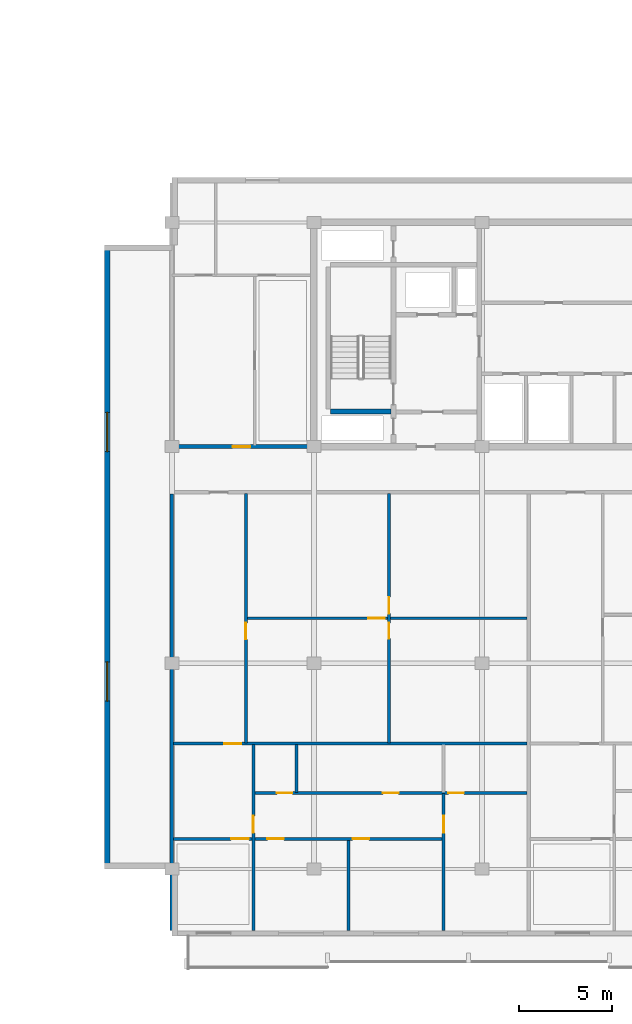
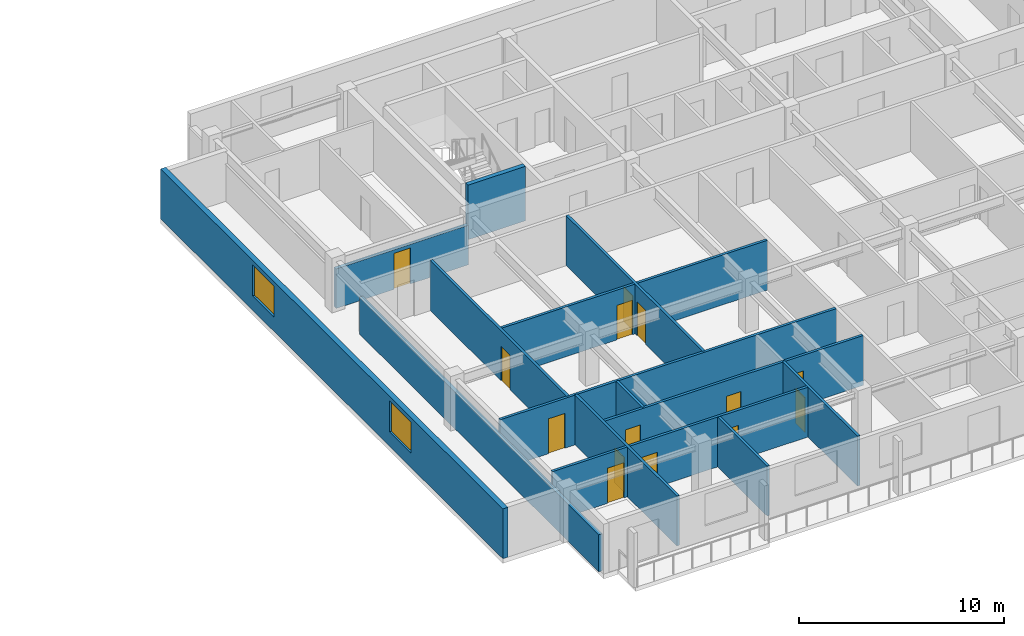
# One storey, part 4 of 24: 14 doors, 14 walls, 2 windows, 16 openings.
"""IFC4 building model written with IfcOpenShell, lengths in metres."""

from ifc_helpers import new_model, si_unit, direction, frame, frame_2d, origin, place, context, subcontext, project, spatial, rectangle, extrude, material, layer, layer_set, type_object, element, fill, save


model = new_model("IFC4")

# Units and contexts
model_context = context("Model", 3, precision=1e-05, world=origin(), true_north=direction((0.0, 1.0)))
body_context = subcontext(model_context, "Body", "Model", "MODEL_VIEW")
ifc_project = project(units=[si_unit("LENGTHUNIT", "METRE"), si_unit("AREAUNIT", "SQUARE_METRE"), si_unit("VOLUMEUNIT", "CUBIC_METRE"), si_unit("PLANEANGLEUNIT", "RADIAN"), si_unit("MASSUNIT", "GRAM", prefix="KILO")], contexts=[model_context])

# Site, building, storey
site_placement = place(None, origin())
site = spatial("IfcSite", under=ifc_project, at=site_placement, CompositionType="ELEMENT")
building_placement = place(site_placement, origin())
building = spatial("IfcBuilding", under=site, at=building_placement, Name="Korimba Cascade Residences", CompositionType="ELEMENT")
storey_placement = place(building_placement, frame((0.0, 0.0, 168.60009765625)))
storey = spatial("IfcBuildingStorey", under=building, at=storey_placement, Name="L48", CompositionType="ELEMENT", Elevation=168.60009765625)

# Wall, openings, windows
ifc_material_1 = material(Name="Precast concrete C40/50", Category="concrete")
ifc_layer_1 = layer(ifc_material_1, 0.300048828125)
ifc_layer_set_1 = layer_set([ifc_layer_1], Name="Precast concrete C40/50")
wall_type_1 = type_object("IfcWallType", Name="EW-STONE-300", PredefinedType="STANDARD", material=ifc_layer_set_1)
wall_1_placement = place(storey_placement, frame((71.050048828125, 29.199951171875, 0.0), z_axis=(0.0, 0.0, 1.0), x_axis=(0.0, -1.0, 0.0)))
wall_1 = element("IfcWall", 1, at=wall_1_placement, inside=storey, type_object=wall_type_1, Name="L48 T2 Perimeter Stone Wall E09", PredefinedType="STANDARD", context=body_context, shape_type="SweptSolid", body=[
    extrude(rectangle(XDim=33.39990234375, YDim=0.300048828125, at=frame_2d((16.699951171875, 0.0))), origin(), (0.0, 0.0, 1.0), 2.969970703125),
])
opening_1_placement = place(wall_1_placement, frame((8.969970703125, 0.0, 0.85009765625)))
opening_1 = element("IfcOpeningElement", 2, at=opening_1_placement, cuts=wall_1, Name="Opening W-03", PredefinedType="OPENING", context=body_context, shape_type="SweptSolid", body=[
    extrude(rectangle(XDim=2.10009765625, YDim=1.85009765625, at=frame_2d((1.050048828125, 0.925048828125))), frame((0.0, 0.16015625, 0.0), z_axis=(0.0, -1.0, 0.0), x_axis=(1.0, 0.0, 0.0)), (0.0, 0.0, 1.0), 0.320068359375),
])
opening_2_placement = place(wall_1_placement, frame((22.330078125, 0.0, 0.85009765625)))
opening_2 = element("IfcOpeningElement", 3, at=opening_2_placement, cuts=wall_1, Name="Opening W-03", PredefinedType="OPENING", context=body_context, shape_type="SweptSolid", body=[
    extrude(rectangle(XDim=2.10009765625, YDim=1.85009765625, at=frame_2d((1.050048828125, 0.925048828125))), frame((0.0, 0.16015625, 0.0), z_axis=(0.0, -1.0, 0.0), x_axis=(1.0, 0.0, 0.0)), (0.0, 0.0, 1.0), 0.320068359375),
])
ifc_material_2 = material(Name="Double-Glazed Aluminium Window", Category="aluminium")
window_type = type_object("IfcWindowType", Name="WIN-CRN-2100", PartitioningType="DOUBLE_PANEL_HORIZONTAL", PredefinedType="WINDOW", material=ifc_material_2)
window_1_placement = place(opening_1_placement, origin())
window_1 = element("IfcWindow", 4, at=window_1_placement, inside=storey, type_object=window_type, Name="L48 T2 End View Window 9.1", OverallHeight=1.85009765625, OverallWidth=2.10009765625, PartitioningType="DOUBLE_PANEL_HORIZONTAL", PredefinedType="WINDOW", context=body_context, shape_type="SweptSolid", body=[
    extrude(rectangle(XDim=2.10009765625, YDim=1.85009765625, at=frame_2d((1.050048828125, 0.925048828125))), frame((0.0, 0.030029296875, 0.0), z_axis=(0.0, -1.0, 0.0), x_axis=(1.0, 0.0, 0.0)), (0.0, 0.0, 1.0), 0.06005859375),
])
fill(opening_1, window_1)
window_2_placement = place(opening_2_placement, origin())
window_2 = element("IfcWindow", 5, at=window_2_placement, inside=storey, type_object=window_type, Name="L48 T2 End View Window 9.2", OverallHeight=1.85009765625, OverallWidth=2.10009765625, PartitioningType="DOUBLE_PANEL_HORIZONTAL", PredefinedType="WINDOW", context=body_context, shape_type="SweptSolid", body=[
    extrude(rectangle(XDim=2.10009765625, YDim=1.85009765625, at=frame_2d((1.050048828125, 0.925048828125))), frame((0.0, 0.030029296875, 0.0), z_axis=(0.0, -1.0, 0.0), x_axis=(1.0, 0.0, 0.0)), (0.0, 0.0, 1.0), 0.06005859375),
])
fill(opening_2, window_2)

# Wall, opening, door
ifc_layer_2 = layer(ifc_material_1, 0.199951171875)
ifc_layer_set_2 = layer_set([ifc_layer_2], Name="Precast concrete C40/50")
wall_type_2 = type_object("IfcWallType", Name="WAL-IT-200", PredefinedType="PARTITIONING", material=ifc_layer_set_2)
wall_2_placement = place(storey_placement, frame((74.5, 18.39990234375, 0.0), z_axis=(0.0, 0.0, 1.0), x_axis=(1.0, 0.0, 0.0)))
wall_2 = element("IfcWall", 6, at=wall_2_placement, inside=storey, type_object=wall_type_2, Name="L48 Partition Wall WAL-L48-T2-FW-S", PredefinedType="PARTITIONING", context=body_context, shape_type="SweptSolid", body=[
    extrude(rectangle(XDim=7.449951171875, YDim=0.199951171875, at=frame_2d((3.72509765625, 0.0))), origin(), (0.0, 0.0, 1.0), 2.357666015625),
])
opening_3_placement = place(wall_2_placement, frame((3.25, 0.0, 0.0)))
opening_3 = element("IfcOpeningElement", 7, at=opening_3_placement, cuts=wall_2, Name="Opening D-UN1", PredefinedType="OPENING", context=body_context, shape_type="SweptSolid", body=[
    extrude(rectangle(XDim=0.949951171875, YDim=2.14990234375, at=frame_2d((0.47509765625, 1.074951171875))), frame((0.0, 0.10986328125, 0.0), z_axis=(0.0, -1.0, 0.0), x_axis=(1.0, 0.0, 0.0)), (0.0, 0.0, 1.0), 0.219970703125),
])
ifc_material_3 = material(Name="Fire-Rated Hardwood Apartment Entrance Door", Category="wood")
door_type_1 = type_object("IfcDoorType", Name="DR-FD60-950", OperationType="NOTDEFINED", PredefinedType="DOOR", material=ifc_material_3)
door_1_placement = place(opening_3_placement, origin())
door_1 = element("IfcDoor", 8, at=door_1_placement, inside=storey, type_object=door_type_1, Name="L48-T2-FW Entrance Door", OperationType="SINGLE_SWING_LEFT", OverallHeight=2.14990234375, OverallWidth=0.949951171875, PredefinedType="DOOR", context=body_context, shape_type="SweptSolid", body=[
    extrude(rectangle(XDim=0.949951171875, YDim=2.14990234375, at=frame_2d((0.47509765625, 1.074951171875))), frame((0.0, 0.02490234375, 0.0), z_axis=(0.0, -1.0, 0.0), x_axis=(1.0, 0.0, 0.0)), (0.0, 0.0, 1.0), 0.050048828125),
])
fill(opening_3, door_1)

# Wall
wall_3_placement = place(storey_placement, frame((74.5, -7.5, 0.0), z_axis=(0.0, 0.0, 1.0), x_axis=(0.0, 1.0, 0.0)))
element("IfcWall", 9, at=wall_3_placement, inside=storey, type_object=wall_type_2, Name="L48 Partition Wall WAL-L48-T2-BNDWL", PredefinedType="PARTITIONING", context=body_context, shape_type="SweptSolid", body=[
    extrude(rectangle(XDim=23.3701171875, YDim=0.199951171875, at=frame_2d((11.68505859375, 0.0))), origin(), (0.0, 0.0, 1.0), 2.2001953125),
])

# Wall, openings, doors
ifc_material_4 = material(Name="Insulated Acoustic Stud Partition", Category="gypsum")
ifc_layer_3 = layer(ifc_material_4, 0.14990234375)
ifc_layer_set_3 = layer_set([ifc_layer_3], Name="Insulated Acoustic Stud Partition")
wall_type_3 = type_object("IfcWallType", Name="WAL-PART-150", PredefinedType="PARTITIONING", material=ifc_layer_set_3)
wall_4_placement = place(storey_placement, frame((86.12451171875, 2.5400390625, 0.0), z_axis=(0.0, 0.0, 1.0), x_axis=(0.0, 1.0, 0.0)))
wall_4 = element("IfcWall", 10, at=wall_4_placement, inside=storey, type_object=wall_type_3, Name="L48 Partition Wall WAL-L48-T2-U01-FMV", PredefinedType="PARTITIONING", context=body_context, shape_type="SweptSolid", body=[
    extrude(rectangle(XDim=13.349853515625, YDim=0.14990234375, at=frame_2d((6.6748046875, 0.0))), origin(), (0.0, 0.0, 1.0), 2.969970703125),
])
opening_4_placement = place(wall_4_placement, frame((5.5849609375, 0.0, 0.0)))
opening_4 = element("IfcOpeningElement", 11, at=opening_4_placement, cuts=wall_4, Name="Opening D-BT1", PredefinedType="OPENING", context=body_context, shape_type="SweptSolid", body=[
    extrude(rectangle(XDim=0.840087890625, YDim=2.0400390625, at=frame_2d((0.419921875, 1.02001953125))), frame((0.0, 0.0849609375, 0.0), z_axis=(0.0, -1.0, 0.0), x_axis=(1.0, 0.0, 0.0)), (0.0, 0.0, 1.0), 0.169921875),
])
opening_5_placement = place(wall_4_placement, frame((6.925048828125, 0.0, 0.0)))
opening_5 = element("IfcOpeningElement", 12, at=opening_5_placement, cuts=wall_4, Name="Opening D-IN2", PredefinedType="OPENING", context=body_context, shape_type="SweptSolid", body=[
    extrude(rectangle(XDim=0.8798828125, YDim=2.06005859375, at=frame_2d((0.43994140625, 1.030029296875))), frame((0.0, 0.0849609375, 0.0), z_axis=(0.0, -1.0, 0.0), x_axis=(1.0, 0.0, 0.0)), (0.0, 0.0, 1.0), 0.169921875),
])
ifc_material_5 = material(Name="Moisture-Resistant Bathroom Timber Door", Category="wood")
door_type_2 = type_object("IfcDoorType", Name="DR-INT-850", OperationType="NOTDEFINED", PredefinedType="DOOR", material=ifc_material_5)
door_2_placement = place(opening_4_placement, origin())
door_2 = element("IfcDoor", 13, at=door_2_placement, inside=storey, type_object=door_type_2, Name="L48-T2-U01 Wardrobe Door", OperationType="SINGLE_SWING_RIGHT", OverallHeight=2.0400390625, OverallWidth=0.840087890625, PredefinedType="DOOR", context=body_context, shape_type="SweptSolid", body=[
    extrude(rectangle(XDim=0.840087890625, YDim=2.0400390625, at=frame_2d((0.419921875, 1.02001953125))), frame((0.0, 0.02490234375, 0.0), z_axis=(0.0, -1.0, 0.0), x_axis=(1.0, 0.0, 0.0)), (0.0, 0.0, 1.0), 0.050048828125),
])
fill(opening_4, door_2)
ifc_material_6 = material(Name="Acoustic Timber Bedroom Door", Category="wood")
door_type_3 = type_object("IfcDoorType", Name="DR-INT-880", OperationType="NOTDEFINED", PredefinedType="DOOR", material=ifc_material_6)
door_3_placement = place(opening_5_placement, origin())
door_3 = element("IfcDoor", 14, at=door_3_placement, inside=storey, type_object=door_type_3, Name="L48-T2-U01 Music Lounge Door", OperationType="SINGLE_SWING_LEFT", OverallHeight=2.06005859375, OverallWidth=0.8798828125, PredefinedType="DOOR", context=body_context, shape_type="SweptSolid", body=[
    extrude(rectangle(XDim=0.8798828125, YDim=2.06005859375, at=frame_2d((0.43994140625, 1.030029296875))), frame((0.0, 0.02490234375, 0.0), z_axis=(0.0, -1.0, 0.0), x_axis=(1.0, 0.0, 0.0)), (0.0, 0.0, 1.0), 0.050048828125),
])
fill(opening_5, door_3)

# Wall, opening, door
wall_5_placement = place(storey_placement, frame((78.530029296875, 9.215087890625, 0.0), z_axis=(0.0, 0.0, 1.0), x_axis=(1.0, 0.0, 0.0)))
wall_5 = element("IfcWall", 15, at=wall_5_placement, inside=storey, type_object=wall_type_3, Name="L48 Partition Wall WAL-L48-T2-U01-FMH", PredefinedType="PARTITIONING", context=body_context, shape_type="SweptSolid", body=[
    extrude(rectangle(XDim=14.9892578125, YDim=0.14990234375, at=frame_2d((7.49462890625, 0.0))), origin(), (0.0, 0.0, 1.0), 2.969970703125),
])
opening_6_placement = place(wall_5_placement, frame((6.49462890625, 0.0, 0.0)))
opening_6 = element("IfcOpeningElement", 16, at=opening_6_placement, cuts=wall_5, Name="Opening D-IN2", PredefinedType="OPENING", context=body_context, shape_type="SweptSolid", body=[
    extrude(rectangle(XDim=0.8798828125, YDim=2.06005859375, at=frame_2d((0.43994140625, 1.030029296875))), frame((0.0, 0.0849609375, 0.0), z_axis=(0.0, -1.0, 0.0), x_axis=(1.0, 0.0, 0.0)), (0.0, 0.0, 1.0), 0.169921875),
])
door_4_placement = place(opening_6_placement, origin())
door_4 = element("IfcDoor", 17, at=door_4_placement, inside=storey, type_object=door_type_3, Name="L48-T2-U01 Library Salon Door", OperationType="SINGLE_SWING_RIGHT", OverallHeight=2.06005859375, OverallWidth=0.8798828125, PredefinedType="DOOR", context=body_context, shape_type="SweptSolid", body=[
    extrude(rectangle(XDim=0.8798828125, YDim=2.06005859375, at=frame_2d((0.43994140625, 1.030029296875))), frame((0.0, 0.02490234375, 0.0), z_axis=(0.0, -1.0, 0.0), x_axis=(1.0, 0.0, 0.0)), (0.0, 0.0, 1.0), 0.050048828125),
])
fill(opening_6, door_4)

wall_6_placement = place(storey_placement, frame((78.469970703125, 2.5400390625, 0.0), z_axis=(0.0, 0.0, 1.0), x_axis=(0.0, 1.0, 0.0)))
wall_6 = element("IfcWall", 18, at=wall_6_placement, inside=storey, type_object=wall_type_3, Name="L48 Partition Wall WAL-L48-T2-U01-FV", PredefinedType="PARTITIONING", context=body_context, shape_type="SweptSolid", body=[
    extrude(rectangle(XDim=13.349853515625, YDim=0.14990234375, at=frame_2d((6.6748046875, 0.0))), origin(), (0.0, 0.0, 1.0), 2.969970703125),
])
opening_7_placement = place(wall_6_placement, frame((5.544921875, 0.0, 0.0)))
opening_7 = element("IfcOpeningElement", 19, at=opening_7_placement, cuts=wall_6, Name="Opening D-IN2", PredefinedType="OPENING", context=body_context, shape_type="SweptSolid", body=[
    extrude(rectangle(XDim=0.8798828125, YDim=2.06005859375, at=frame_2d((0.43994140625, 1.030029296875))), frame((0.0, 0.0849609375, 0.0), z_axis=(0.0, -1.0, 0.0), x_axis=(1.0, 0.0, 0.0)), (0.0, 0.0, 1.0), 0.169921875),
])
door_5_placement = place(opening_7_placement, origin())
door_5 = element("IfcDoor", 20, at=door_5_placement, inside=storey, type_object=door_type_3, Name="L48-T2-U01 Media Lounge Door", OperationType="SINGLE_SWING_LEFT", OverallHeight=2.06005859375, OverallWidth=0.8798828125, PredefinedType="DOOR", context=body_context, shape_type="SweptSolid", body=[
    extrude(rectangle(XDim=0.8798828125, YDim=2.06005859375, at=frame_2d((0.43994140625, 1.030029296875))), frame((0.0, 0.02490234375, 0.0), z_axis=(0.0, -1.0, 0.0), x_axis=(1.0, 0.0, 0.0)), (0.0, 0.0, 1.0), 0.050048828125),
])
fill(opening_7, door_5)

# Walls
wall_7_placement = place(storey_placement, frame((81.179931640625, -0.1201171875, 0.0), z_axis=(0.0, 0.0, 1.0), x_axis=(0.0, 1.0, 0.0)))
element("IfcWall", 21, at=wall_7_placement, inside=storey, type_object=wall_type_3, Name="L48 Partition Wall WAL-L48-T2-U01-VDRS", PredefinedType="PARTITIONING", context=body_context, shape_type="SweptSolid", body=[
    extrude(rectangle(XDim=2.580078125, YDim=0.14990234375, at=frame_2d((1.2900390625, 0.0))), origin(), (0.0, 0.0, 1.0), 2.969970703125),
])
wall_8_placement = place(storey_placement, frame((83.959716796875, -7.5, 0.0), z_axis=(0.0, 0.0, 1.0), x_axis=(0.0, 1.0, 0.0)))
element("IfcWall", 22, at=wall_8_placement, inside=storey, type_object=wall_type_3, Name="L48 Partition Wall WAL-L48-T2-U01-VB3", PredefinedType="PARTITIONING", context=body_context, shape_type="SweptSolid", body=[
    extrude(rectangle(XDim=4.820068359375, YDim=0.14990234375, at=frame_2d((2.41015625, 0.0))), origin(), (0.0, 0.0, 1.0), 2.969970703125),
])

# Wall, opening, door
wall_9_placement = place(storey_placement, frame((78.8701171875, -7.5, 0.0), z_axis=(0.0, 0.0, 1.0), x_axis=(0.0, 1.0, 0.0)))
wall_9 = element("IfcWall", 23, at=wall_9_placement, inside=storey, type_object=wall_type_3, Name="L48 Partition Wall WAL-L48-T2-U01-V1", PredefinedType="PARTITIONING", context=body_context, shape_type="SweptSolid", body=[
    extrude(rectangle(XDim=9.9599609375, YDim=0.14990234375, at=frame_2d((4.97998046875, 0.0))), origin(), (0.0, 0.0, 1.0), 2.969970703125),
])
opening_8_placement = place(wall_9_placement, frame((5.219970703125, 0.0, 0.0)))
opening_8 = element("IfcOpeningElement", 24, at=opening_8_placement, cuts=wall_9, Name="Opening D-IN1", PredefinedType="OPENING", context=body_context, shape_type="SweptSolid", body=[
    extrude(rectangle(XDim=0.919921875, YDim=2.080078125, at=frame_2d((0.4599609375, 1.0400390625))), frame((0.0, 0.0849609375, 0.0), z_axis=(0.0, -1.0, 0.0), x_axis=(1.0, 0.0, 0.0)), (0.0, 0.0, 1.0), 0.169921875),
])
ifc_material_7 = material(Name="Acoustic Timber Living Door", Category="wood")
door_type_4 = type_object("IfcDoorType", Name="DR-INT-920", OperationType="NOTDEFINED", PredefinedType="DOOR", material=ifc_material_7)
door_6_placement = place(opening_8_placement, origin())
door_6 = element("IfcDoor", 25, at=door_6_placement, inside=storey, type_object=door_type_4, Name="L48-T2-U01 Hallway Door", OperationType="SINGLE_SWING_RIGHT", OverallHeight=2.080078125, OverallWidth=0.919921875, PredefinedType="DOOR", context=body_context, shape_type="SweptSolid", body=[
    extrude(rectangle(XDim=0.919921875, YDim=2.080078125, at=frame_2d((0.4599609375, 1.0400390625))), frame((0.0, 0.02490234375, 0.0), z_axis=(0.0, -1.0, 0.0), x_axis=(1.0, 0.0, 0.0)), (0.0, 0.0, 1.0), 0.050048828125),
])
fill(opening_8, door_6)

wall_10_placement = place(storey_placement, frame((89.04931640625, -7.5, 0.0), z_axis=(0.0, 0.0, 1.0), x_axis=(0.0, 1.0, 0.0)))
wall_10 = element("IfcWall", 26, at=wall_10_placement, inside=storey, type_object=wall_type_3, Name="L48 Partition Wall WAL-L48-T2-U01-V2FULL", PredefinedType="PARTITIONING", context=body_context, shape_type="SweptSolid", body=[
    extrude(rectangle(XDim=7.340087890625, YDim=0.14990234375, at=frame_2d((3.669921875, 0.0))), origin(), (0.0, 0.0, 1.0), 2.969970703125),
])
opening_9_placement = place(wall_10_placement, frame((5.219970703125, 0.0, 0.0)))
opening_9 = element("IfcOpeningElement", 27, at=opening_9_placement, cuts=wall_10, Name="Opening D-IN1", PredefinedType="OPENING", context=body_context, shape_type="SweptSolid", body=[
    extrude(rectangle(XDim=0.919921875, YDim=2.080078125, at=frame_2d((0.4599609375, 1.0400390625))), frame((0.0, 0.0849609375, 0.0), z_axis=(0.0, -1.0, 0.0), x_axis=(1.0, 0.0, 0.0)), (0.0, 0.0, 1.0), 0.169921875),
])
door_7_placement = place(opening_9_placement, origin())
door_7 = element("IfcDoor", 28, at=door_7_placement, inside=storey, type_object=door_type_4, Name="L48-T2-U01 Master Bedroom Door", OperationType="SINGLE_SWING_LEFT", OverallHeight=2.080078125, OverallWidth=0.919921875, PredefinedType="DOOR", context=body_context, shape_type="SweptSolid", body=[
    extrude(rectangle(XDim=0.919921875, YDim=2.080078125, at=frame_2d((0.4599609375, 1.0400390625))), frame((0.0, 0.02490234375, 0.0), z_axis=(0.0, -1.0, 0.0), x_axis=(1.0, 0.0, 0.0)), (0.0, 0.0, 1.0), 0.050048828125),
])
fill(opening_9, door_7)

# Wall, openings, doors
wall_11_placement = place(storey_placement, frame((78.909912109375, -0.139892578125, 0.0), z_axis=(0.0, 0.0, 1.0), x_axis=(1.0, 0.0, 0.0)))
wall_11 = element("IfcWall", 29, at=wall_11_placement, inside=storey, type_object=wall_type_3, Name="L48 Partition Wall WAL-L48-T2-U01-HWALL", PredefinedType="PARTITIONING", context=body_context, shape_type="SweptSolid", body=[
    extrude(rectangle(XDim=14.609375, YDim=0.14990234375, at=frame_2d((7.3046875, 0.0))), origin(), (0.0, 0.0, 1.0), 2.969970703125),
])
opening_10_placement = place(wall_11_placement, frame((1.2099609375, 0.0, 0.0)))
opening_10 = element("IfcOpeningElement", 30, at=opening_10_placement, cuts=wall_11, Name="Opening D-BT1", PredefinedType="OPENING", context=body_context, shape_type="SweptSolid", body=[
    extrude(rectangle(XDim=0.840087890625, YDim=2.0400390625, at=frame_2d((0.419921875, 1.02001953125))), frame((0.0, 0.0849609375, 0.0), z_axis=(0.0, -1.0, 0.0), x_axis=(1.0, 0.0, 0.0)), (0.0, 0.0, 1.0), 0.169921875),
])
opening_11_placement = place(wall_11_placement, frame((6.884521484375, 0.0, 0.0)))
opening_11 = element("IfcOpeningElement", 31, at=opening_11_placement, cuts=wall_11, Name="Opening D-BT1", PredefinedType="OPENING", context=body_context, shape_type="SweptSolid", body=[
    extrude(rectangle(XDim=0.840087890625, YDim=2.0400390625, at=frame_2d((0.419921875, 1.02001953125))), frame((0.0, 0.0849609375, 0.0), z_axis=(0.0, -1.0, 0.0), x_axis=(1.0, 0.0, 0.0)), (0.0, 0.0, 1.0), 0.169921875),
])
opening_12_placement = place(wall_11_placement, frame((10.38916015625, 0.0, 0.0)))
opening_12 = element("IfcOpeningElement", 32, at=opening_12_placement, cuts=wall_11, Name="Opening D-BT1", PredefinedType="OPENING", context=body_context, shape_type="SweptSolid", body=[
    extrude(rectangle(XDim=0.840087890625, YDim=2.0400390625, at=frame_2d((0.419921875, 1.02001953125))), frame((0.0, 0.0849609375, 0.0), z_axis=(0.0, -1.0, 0.0), x_axis=(1.0, 0.0, 0.0)), (0.0, 0.0, 1.0), 0.169921875),
])
door_8_placement = place(opening_10_placement, origin())
door_8 = element("IfcDoor", 33, at=door_8_placement, inside=storey, type_object=door_type_2, Name="L48-T2-U01 Family Bathroom Door", OperationType="SINGLE_SWING_RIGHT", OverallHeight=2.0400390625, OverallWidth=0.840087890625, PredefinedType="DOOR", context=body_context, shape_type="SweptSolid", body=[
    extrude(rectangle(XDim=0.840087890625, YDim=2.0400390625, at=frame_2d((0.419921875, 1.02001953125))), frame((0.0, 0.02490234375, 0.0), z_axis=(0.0, -1.0, 0.0), x_axis=(1.0, 0.0, 0.0)), (0.0, 0.0, 1.0), 0.050048828125),
])
fill(opening_10, door_8)
door_9_placement = place(opening_11_placement, origin())
door_9 = element("IfcDoor", 34, at=door_9_placement, inside=storey, type_object=door_type_2, Name="L48-T2-U01 Dressing Room Door", OperationType="SINGLE_SWING_LEFT", OverallHeight=2.0400390625, OverallWidth=0.840087890625, PredefinedType="DOOR", context=body_context, shape_type="SweptSolid", body=[
    extrude(rectangle(XDim=0.840087890625, YDim=2.0400390625, at=frame_2d((0.419921875, 1.02001953125))), frame((0.0, 0.02490234375, 0.0), z_axis=(0.0, -1.0, 0.0), x_axis=(1.0, 0.0, 0.0)), (0.0, 0.0, 1.0), 0.050048828125),
])
fill(opening_11, door_9)
door_10_placement = place(opening_12_placement, origin())
door_10 = element("IfcDoor", 35, at=door_10_placement, inside=storey, type_object=door_type_2, Name="L48-T2-U01 En-Suite Door", OperationType="SINGLE_SWING_RIGHT", OverallHeight=2.0400390625, OverallWidth=0.840087890625, PredefinedType="DOOR", context=body_context, shape_type="SweptSolid", body=[
    extrude(rectangle(XDim=0.840087890625, YDim=2.0400390625, at=frame_2d((0.419921875, 1.02001953125))), frame((0.0, 0.02490234375, 0.0), z_axis=(0.0, -1.0, 0.0), x_axis=(1.0, 0.0, 0.0)), (0.0, 0.0, 1.0), 0.050048828125),
])
fill(opening_12, door_10)

# Wall, opening, door
wall_12_placement = place(storey_placement, frame((74.580078125, 2.5, 0.0), z_axis=(0.0, 0.0, 1.0), x_axis=(1.0, 0.0, 0.0)))
wall_12 = element("IfcWall", 36, at=wall_12_placement, inside=storey, type_object=wall_type_3, Name="L48 Partition Wall WAL-L48-T2-U01-MW", PredefinedType="PARTITIONING", context=body_context, shape_type="SweptSolid", body=[
    extrude(rectangle(XDim=18.939208984375, YDim=0.14990234375, at=frame_2d((9.4697265625, 0.0))), origin(), (0.0, 0.0, 1.0), 2.969970703125),
])
opening_13_placement = place(wall_12_placement, frame((2.719970703125, 0.0, 0.0)))
opening_13 = element("IfcOpeningElement", 37, at=opening_13_placement, cuts=wall_12, Name="Opening D-IN1", PredefinedType="OPENING", context=body_context, shape_type="SweptSolid", body=[
    extrude(rectangle(XDim=0.919921875, YDim=2.080078125, at=frame_2d((0.4599609375, 1.0400390625))), frame((0.0, 0.0849609375, 0.0), z_axis=(0.0, -1.0, 0.0), x_axis=(1.0, 0.0, 0.0)), (0.0, 0.0, 1.0), 0.169921875),
])
door_11_placement = place(opening_13_placement, origin())
door_11 = element("IfcDoor", 38, at=door_11_placement, inside=storey, type_object=door_type_4, Name="L48-T2-U01 Kitchen Door", OperationType="SINGLE_SWING_LEFT", OverallHeight=2.080078125, OverallWidth=0.919921875, PredefinedType="DOOR", context=body_context, shape_type="SweptSolid", body=[
    extrude(rectangle(XDim=0.919921875, YDim=2.080078125, at=frame_2d((0.4599609375, 1.0400390625))), frame((0.0, 0.02490234375, 0.0), z_axis=(0.0, -1.0, 0.0), x_axis=(1.0, 0.0, 0.0)), (0.0, 0.0, 1.0), 0.050048828125),
])
fill(opening_13, door_11)

# Wall, openings, doors
wall_13_placement = place(storey_placement, frame((74.580078125, -2.60009765625, 0.0), z_axis=(0.0, 0.0, 1.0), x_axis=(1.0, 0.0, 0.0)))
wall_13 = element("IfcWall", 39, at=wall_13_placement, inside=storey, type_object=wall_type_3, Name="L48 Partition Wall WAL-L48-T2-U01-HZ", PredefinedType="PARTITIONING", context=body_context, shape_type="SweptSolid", body=[
    extrude(rectangle(XDim=14.46923828125, YDim=0.14990234375, at=frame_2d((7.234619140625, 0.0))), origin(), (0.0, 0.0, 1.0), 2.969970703125),
])
opening_14_placement = place(wall_13_placement, frame((3.10009765625, 0.0, 0.0)))
opening_14 = element("IfcOpeningElement", 40, at=opening_14_placement, cuts=wall_13, Name="Opening D-IN0", PredefinedType="OPENING", context=body_context, shape_type="SweptSolid", body=[
    extrude(rectangle(XDim=0.93994140625, YDim=2.10009765625, at=frame_2d((0.469970703125, 1.050048828125))), frame((0.0, 0.0849609375, 0.0), z_axis=(0.0, -1.0, 0.0), x_axis=(1.0, 0.0, 0.0)), (0.0, 0.0, 1.0), 0.169921875),
])
opening_15_placement = place(wall_13_placement, frame((5.03759765625, 0.0, 0.0)))
opening_15 = element("IfcOpeningElement", 41, at=opening_15_placement, cuts=wall_13, Name="Opening D-IN2", PredefinedType="OPENING", context=body_context, shape_type="SweptSolid", body=[
    extrude(rectangle(XDim=0.8798828125, YDim=2.06005859375, at=frame_2d((0.43994140625, 1.030029296875))), frame((0.0, 0.0849609375, 0.0), z_axis=(0.0, -1.0, 0.0), x_axis=(1.0, 0.0, 0.0)), (0.0, 0.0, 1.0), 0.169921875),
])
opening_16_placement = place(wall_13_placement, frame((9.599609375, 0.0, 0.0)))
opening_16 = element("IfcOpeningElement", 42, at=opening_16_placement, cuts=wall_13, Name="Opening D-IN2", PredefinedType="OPENING", context=body_context, shape_type="SweptSolid", body=[
    extrude(rectangle(XDim=0.8798828125, YDim=2.06005859375, at=frame_2d((0.43994140625, 1.030029296875))), frame((0.0, 0.0849609375, 0.0), z_axis=(0.0, -1.0, 0.0), x_axis=(1.0, 0.0, 0.0)), (0.0, 0.0, 1.0), 0.169921875),
])
door_12_placement = place(opening_15_placement, origin())
door_12 = element("IfcDoor", 43, at=door_12_placement, inside=storey, type_object=door_type_3, Name="L48-T2-U01 Bedroom 2 Door", OperationType="SINGLE_SWING_LEFT", OverallHeight=2.06005859375, OverallWidth=0.8798828125, PredefinedType="DOOR", context=body_context, shape_type="SweptSolid", body=[
    extrude(rectangle(XDim=0.8798828125, YDim=2.06005859375, at=frame_2d((0.43994140625, 1.030029296875))), frame((0.0, 0.02490234375, 0.0), z_axis=(0.0, -1.0, 0.0), x_axis=(1.0, 0.0, 0.0)), (0.0, 0.0, 1.0), 0.050048828125),
])
fill(opening_15, door_12)
door_13_placement = place(opening_16_placement, origin())
door_13 = element("IfcDoor", 44, at=door_13_placement, inside=storey, type_object=door_type_3, Name="L48-T2-U01 Bedroom 3 Door", OperationType="SINGLE_SWING_RIGHT", OverallHeight=2.06005859375, OverallWidth=0.8798828125, PredefinedType="DOOR", context=body_context, shape_type="SweptSolid", body=[
    extrude(rectangle(XDim=0.8798828125, YDim=2.06005859375, at=frame_2d((0.43994140625, 1.030029296875))), frame((0.0, 0.02490234375, 0.0), z_axis=(0.0, -1.0, 0.0), x_axis=(1.0, 0.0, 0.0)), (0.0, 0.0, 1.0), 0.050048828125),
])
fill(opening_16, door_13)
ifc_material_8 = material(Name="Acoustic Timber Living Archway Door", Category="wood")
door_type_5 = type_object("IfcDoorType", Name="DR-INT-950", OperationType="NOTDEFINED", PredefinedType="DOOR", material=ifc_material_8)
door_14_placement = place(opening_14_placement, origin())
door_14 = element("IfcDoor", 45, at=door_14_placement, inside=storey, type_object=door_type_5, Name="L48-T2-U01 Living Room Door", OperationType="SINGLE_SWING_RIGHT", OverallHeight=2.10009765625, OverallWidth=0.93994140625, PredefinedType="DOOR", context=body_context, shape_type="SweptSolid", body=[
    extrude(rectangle(XDim=0.93994140625, YDim=2.10009765625, at=frame_2d((0.469970703125, 1.050048828125))), frame((0.0, 0.02490234375, 0.0), z_axis=(0.0, -1.0, 0.0), x_axis=(1.0, 0.0, 0.0)), (0.0, 0.0, 1.0), 0.050048828125),
])
fill(opening_14, door_14)

# Wall
ifc_material_9 = material(Name="Concrete C50/60", Category="concrete")
ifc_layer_4 = layer(ifc_material_9, 0.25)
ifc_layer_set_4 = layer_set([ifc_layer_4], Name="Concrete C50/60")
wall_type_4 = type_object("IfcWallType", Name="WAL-SHAFT-250", PredefinedType="SHEAR", material=ifc_layer_set_4)
wall_14_placement = place(storey_placement, frame((83.0, 20.27490234375, 0.0), z_axis=(0.0, 0.0, 1.0), x_axis=(1.0, 0.0, 0.0)))
element("IfcWall", 46, at=wall_14_placement, inside=storey, type_object=wall_type_4, Name="L48 Core Shear Wall CW-L48-T2-STE1S", PredefinedType="SHEAR", context=body_context, shape_type="SweptSolid", body=[
    extrude(rectangle(XDim=3.239990234375, YDim=0.25, at=frame_2d((1.6201171875, 0.0))), origin(), (0.0, 0.0, 1.0), 3.25),
])

save(model, "model.ifc")
